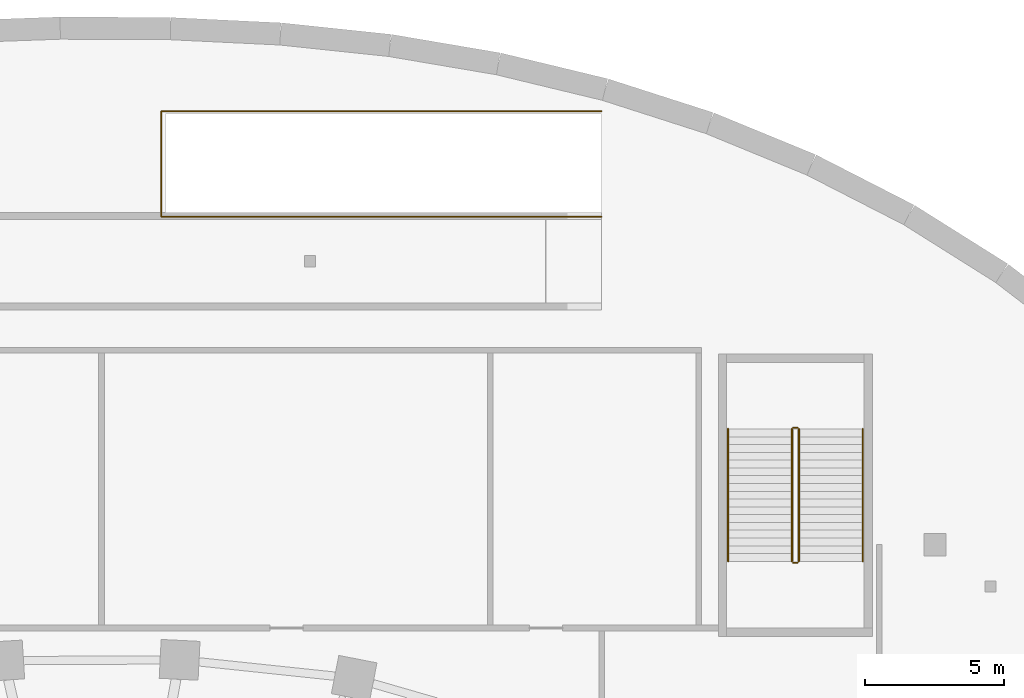
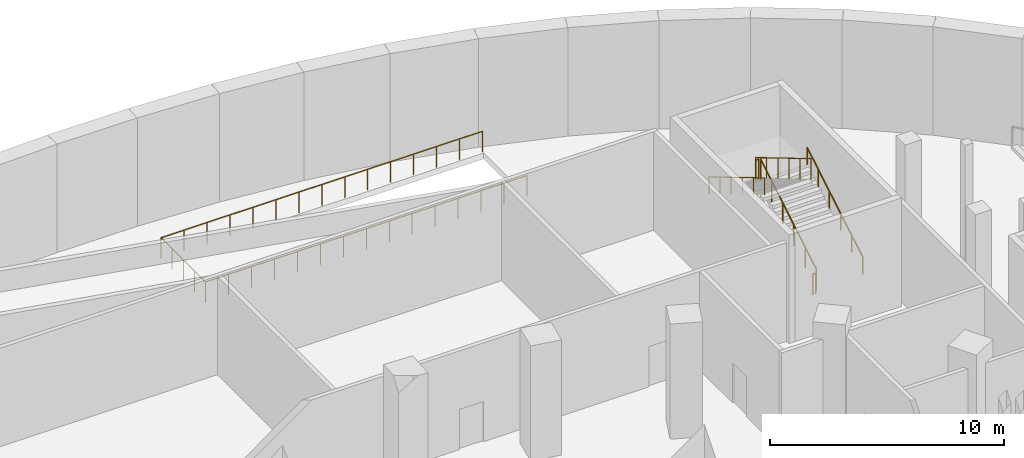
# One storey, part 19 of 19: 7 railings.
"""IFC4 building model written with IfcOpenShell, lengths in metres."""

from ifc_helpers import new_model, si_unit, direction, frame, origin, origin_2d, place, context, subcontext, project, spatial, circle, extrude, material, type_object, element, save


model = new_model("IFC4")

# Units and contexts
model_context = context("Model", 3, precision=1e-05, world=origin(), true_north=direction((0.0, 1.0)))
body_context = subcontext(model_context, "Body", "Model", "MODEL_VIEW")
ifc_project = project(units=[si_unit("LENGTHUNIT", "METRE"), si_unit("AREAUNIT", "SQUARE_METRE"), si_unit("VOLUMEUNIT", "CUBIC_METRE"), si_unit("PLANEANGLEUNIT", "RADIAN"), si_unit("MASSUNIT", "GRAM", prefix="KILO")], contexts=[model_context])

# Site, building, storey
site_placement = place(None, origin())
site = spatial("IfcSite", under=ifc_project, at=site_placement, CompositionType="ELEMENT")
building_placement = place(site_placement, origin())
building = spatial("IfcBuilding", under=site, at=building_placement, Name="Rubra Terraces Tower", CompositionType="ELEMENT")
storey_placement = place(building_placement, frame((0.0, 0.0, -6.0)))
storey = spatial("IfcBuildingStorey", under=building, at=storey_placement, Name="B1", CompositionType="ELEMENT", Elevation=-6.0)

# Railings
ifc_material = material(Name="Stainless steel", Category="steel")
railing_type_1 = type_object("IfcRailingType", Name="Guard 1100", PredefinedType="GUARDRAIL", material=ifc_material)
railing_1_placement = place(storey_placement, frame((18.0, 35.800048828125, 0.0)))
element("IfcRailing", 1, at=railing_1_placement, inside=storey, type_object=railing_type_1, Name="Guard at ramp opening", PredefinedType="GUARDRAIL", context=body_context, shape_type="SweptSolid", body=[
    extrude(circle(Radius=0.02392578125, at=origin_2d()), frame((0.0, 0.0, 1.076171875), z_axis=(-1.0, 0.0, 0.0), x_axis=(0.0, -1.0, 0.0)), (0.0, 0.0, 1.0), 15.85009765625),
    extrude(circle(Radius=0.02392578125, at=origin_2d()), frame((-15.85009765625, 0.0, 1.076171875), z_axis=(0.0, 1.0, 0.0), x_axis=(-1.0, 0.0, 0.0)), (0.0, 0.0, 1.0), 3.800048828125),
    extrude(circle(Radius=0.02392578125, at=origin_2d()), frame((-15.85009765625, 3.800048828125, 1.076171875), z_axis=(1.0, 0.0, 0.0), x_axis=(0.0, 1.0, 0.0)), (0.0, 0.0, 1.0), 15.85009765625),
    extrude(circle(Radius=0.02099609375, at=origin_2d()), origin(), (0.0, 0.0, 1.0), 1.052001953125),
    extrude(circle(Radius=0.02099609375, at=origin_2d()), frame((-1.132080078125, 0.0, 0.0)), (0.0, 0.0, 1.0), 1.052001953125),
    extrude(circle(Radius=0.02099609375, at=origin_2d()), frame((-2.264404296875, 0.0, 0.0)), (0.0, 0.0, 1.0), 1.052001953125),
    extrude(circle(Radius=0.02099609375, at=origin_2d()), frame((-3.396484375, 0.0, 0.0)), (0.0, 0.0, 1.0), 1.052001953125),
    extrude(circle(Radius=0.02099609375, at=origin_2d()), frame((-4.528564453125, 0.0, 0.0)), (0.0, 0.0, 1.0), 1.052001953125),
    extrude(circle(Radius=0.02099609375, at=origin_2d()), frame((-5.66064453125, 0.0, 0.0)), (0.0, 0.0, 1.0), 1.052001953125),
    extrude(circle(Radius=0.02099609375, at=origin_2d()), frame((-6.79296875, 0.0, 0.0)), (0.0, 0.0, 1.0), 1.052001953125),
    extrude(circle(Radius=0.02099609375, at=origin_2d()), frame((-7.925048828125, 0.0, 0.0)), (0.0, 0.0, 1.0), 1.052001953125),
    extrude(circle(Radius=0.02099609375, at=origin_2d()), frame((-9.05712890625, 0.0, 0.0)), (0.0, 0.0, 1.0), 1.052001953125),
    extrude(circle(Radius=0.02099609375, at=origin_2d()), frame((-10.189453125, 0.0, 0.0)), (0.0, 0.0, 1.0), 1.052001953125),
    extrude(circle(Radius=0.02099609375, at=origin_2d()), frame((-11.321533203125, 0.0, 0.0)), (0.0, 0.0, 1.0), 1.052001953125),
    extrude(circle(Radius=0.02099609375, at=origin_2d()), frame((-12.45361328125, 0.0, 0.0)), (0.0, 0.0, 1.0), 1.052001953125),
    extrude(circle(Radius=0.02099609375, at=origin_2d()), frame((-13.585693359375, 0.0, 0.0)), (0.0, 0.0, 1.0), 1.052001953125),
    extrude(circle(Radius=0.02099609375, at=origin_2d()), frame((-14.718017578125, 0.0, 0.0)), (0.0, 0.0, 1.0), 1.052001953125),
    extrude(circle(Radius=0.02099609375, at=origin_2d()), frame((-15.85009765625, 0.0, 0.0)), (0.0, 0.0, 1.0), 1.052001953125),
    extrude(circle(Radius=0.02099609375, at=origin_2d()), frame((-15.85009765625, 0.949951171875, 0.0)), (0.0, 0.0, 1.0), 1.052001953125),
    extrude(circle(Radius=0.02099609375, at=origin_2d()), frame((-15.85009765625, 1.89990234375, 0.0)), (0.0, 0.0, 1.0), 1.052001953125),
    extrude(circle(Radius=0.02099609375, at=origin_2d()), frame((-15.85009765625, 2.85009765625, 0.0)), (0.0, 0.0, 1.0), 1.052001953125),
    extrude(circle(Radius=0.02099609375, at=origin_2d()), frame((-15.85009765625, 3.800048828125, 0.0)), (0.0, 0.0, 1.0), 1.052001953125),
    extrude(circle(Radius=0.02099609375, at=origin_2d()), frame((-14.718017578125, 3.800048828125, 0.0)), (0.0, 0.0, 1.0), 1.052001953125),
    extrude(circle(Radius=0.02099609375, at=origin_2d()), frame((-13.585693359375, 3.800048828125, 0.0)), (0.0, 0.0, 1.0), 1.052001953125),
    extrude(circle(Radius=0.02099609375, at=origin_2d()), frame((-12.45361328125, 3.800048828125, 0.0)), (0.0, 0.0, 1.0), 1.052001953125),
    extrude(circle(Radius=0.02099609375, at=origin_2d()), frame((-11.321533203125, 3.800048828125, 0.0)), (0.0, 0.0, 1.0), 1.052001953125),
    extrude(circle(Radius=0.02099609375, at=origin_2d()), frame((-10.189453125, 3.800048828125, 0.0)), (0.0, 0.0, 1.0), 1.052001953125),
    extrude(circle(Radius=0.02099609375, at=origin_2d()), frame((-9.05712890625, 3.800048828125, 0.0)), (0.0, 0.0, 1.0), 1.052001953125),
    extrude(circle(Radius=0.02099609375, at=origin_2d()), frame((-7.925048828125, 3.800048828125, 0.0)), (0.0, 0.0, 1.0), 1.052001953125),
    extrude(circle(Radius=0.02099609375, at=origin_2d()), frame((-6.79296875, 3.800048828125, 0.0)), (0.0, 0.0, 1.0), 1.052001953125),
    extrude(circle(Radius=0.02099609375, at=origin_2d()), frame((-5.66064453125, 3.800048828125, 0.0)), (0.0, 0.0, 1.0), 1.052001953125),
    extrude(circle(Radius=0.02099609375, at=origin_2d()), frame((-4.528564453125, 3.800048828125, 0.0)), (0.0, 0.0, 1.0), 1.052001953125),
    extrude(circle(Radius=0.02099609375, at=origin_2d()), frame((-3.396484375, 3.800048828125, 0.0)), (0.0, 0.0, 1.0), 1.052001953125),
    extrude(circle(Radius=0.02099609375, at=origin_2d()), frame((-2.264404296875, 3.800048828125, 0.0)), (0.0, 0.0, 1.0), 1.052001953125),
    extrude(circle(Radius=0.02099609375, at=origin_2d()), frame((-1.132080078125, 3.800048828125, 0.0)), (0.0, 0.0, 1.0), 1.052001953125),
    extrude(circle(Radius=0.02099609375, at=origin_2d()), frame((0.0, 3.800048828125, 0.0)), (0.0, 0.0, 1.0), 1.052001953125),
])
railing_type_2 = type_object("IfcRailingType", Name="Public stair guard 1100", PredefinedType="GUARDRAIL", material=ifc_material)
railing_2_placement = place(storey_placement, frame((25.10009765625, 23.39990234375, 0.166748046875)))
element("IfcRailing", 2, at=railing_2_placement, inside=storey, type_object=railing_type_2, Name="B1 SE6 stair guard 1", PredefinedType="GUARDRAIL", context=body_context, shape_type="SweptSolid", body=[
    extrude(circle(Radius=0.02392578125, at=origin_2d()), frame((0.0, 0.0, 1.076171875), z_axis=(0.0, 0.859299802514, 0.511472237174), x_axis=(-1.0, 0.0, 0.0)), (0.0, 0.0, 1.0), 5.539306640625),
    extrude(circle(Radius=0.02099609375, at=origin_2d()), origin(), (0.0, 0.0, 1.0), 1.052001953125),
    extrude(circle(Radius=0.02099609375, at=origin_2d()), frame((0.0, 0.951904296875, 0.566650390625)), (0.0, 0.0, 1.0), 1.052001953125),
    extrude(circle(Radius=0.02099609375, at=origin_2d()), frame((0.0, 1.904052734375, 1.13330078125)), (0.0, 0.0, 1.0), 1.052001953125),
    extrude(circle(Radius=0.02099609375, at=origin_2d()), frame((0.0, 2.85595703125, 1.699951171875)), (0.0, 0.0, 1.0), 1.052001953125),
    extrude(circle(Radius=0.02099609375, at=origin_2d()), frame((0.0, 3.80810546875, 2.2666015625)), (0.0, 0.0, 1.0), 1.052001953125),
    extrude(circle(Radius=0.02099609375, at=origin_2d()), frame((0.0, 4.760009765625, 2.833251953125)), (0.0, 0.0, 1.0), 1.052001953125),
])
railing_3_placement = place(storey_placement, frame((25.050048828125, 28.2099609375, 3.0)))
element("IfcRailing", 3, at=railing_3_placement, inside=storey, type_object=railing_type_2, Name="B1 SE6 stair guard 2", PredefinedType="GUARDRAIL", context=body_context, shape_type="SweptSolid", body=[
    extrude(circle(Radius=0.02392578125, at=origin_2d()), frame((0.0, 0.0, 1.076171875), z_axis=(-1.0, 0.0, 0.0), x_axis=(0.0, -1.0, 0.0)), (0.0, 0.0, 1.0), 0.150146484375),
    extrude(circle(Radius=0.02099609375, at=origin_2d()), origin(), (0.0, 0.0, 1.0), 1.052001953125),
    extrude(circle(Radius=0.02099609375, at=origin_2d()), frame((-0.150146484375, 0.0, 0.0)), (0.0, 0.0, 1.0), 1.052001953125),
])
railing_4_placement = place(storey_placement, frame((24.85009765625, 28.159912109375, 3.166748046875)))
element("IfcRailing", 4, at=railing_4_placement, inside=storey, type_object=railing_type_2, Name="B1 SE6 stair guard 3", PredefinedType="GUARDRAIL", context=body_context, shape_type="SweptSolid", body=[
    extrude(circle(Radius=0.02392578125, at=origin_2d()), frame((0.0, 0.0, 1.076171875), z_axis=(0.0, -0.859299802514, 0.511472237174), x_axis=(1.0, 0.0, 0.0)), (0.0, 0.0, 1.0), 5.539306640625),
    extrude(circle(Radius=0.02099609375, at=origin_2d()), origin(), (0.0, 0.0, 1.0), 1.052001953125),
    extrude(circle(Radius=0.02099609375, at=origin_2d()), frame((0.0, -0.951904296875, 0.566650390625)), (0.0, 0.0, 1.0), 1.052001953125),
    extrude(circle(Radius=0.02099609375, at=origin_2d()), frame((0.0, -1.904052734375, 1.13330078125)), (0.0, 0.0, 1.0), 1.052001953125),
    extrude(circle(Radius=0.02099609375, at=origin_2d()), frame((0.0, -2.85595703125, 1.699951171875)), (0.0, 0.0, 1.0), 1.052001953125),
    extrude(circle(Radius=0.02099609375, at=origin_2d()), frame((0.0, -3.80810546875, 2.2666015625)), (0.0, 0.0, 1.0), 1.052001953125),
    extrude(circle(Radius=0.02099609375, at=origin_2d()), frame((0.0, -4.760009765625, 2.833251953125)), (0.0, 0.0, 1.0), 1.052001953125),
])
railing_5_placement = place(storey_placement, frame((25.050048828125, 23.35009765625, 0.0)))
element("IfcRailing", 5, at=railing_5_placement, inside=storey, type_object=railing_type_2, Name="B1 SE6 stair guard 4", PredefinedType="GUARDRAIL", context=body_context, shape_type="SweptSolid", body=[
    extrude(circle(Radius=0.02392578125, at=origin_2d()), frame((0.0, 0.0, 1.076171875), z_axis=(-1.0, 0.0, 0.0), x_axis=(0.0, -1.0, 0.0)), (0.0, 0.0, 1.0), 0.150146484375),
    extrude(circle(Radius=0.02099609375, at=origin_2d()), origin(), (0.0, 0.0, 1.0), 1.052001953125),
    extrude(circle(Radius=0.02099609375, at=origin_2d()), frame((-0.150146484375, 0.0, 0.0)), (0.0, 0.0, 1.0), 1.052001953125),
])
railing_type_3 = type_object("IfcRailingType", Name="Public stair handrail 900", PredefinedType="HANDRAIL", material=ifc_material)
railing_6_placement = place(storey_placement, frame((27.39990234375, 23.39990234375, 0.166748046875)))
element("IfcRailing", 6, at=railing_6_placement, inside=storey, type_object=railing_type_3, Name="B1 SE6 stair handrail 1", PredefinedType="HANDRAIL", context=body_context, shape_type="SweptSolid", body=[
    extrude(circle(Radius=0.02392578125, at=origin_2d()), frame((0.0, 0.0, 0.8759765625), z_axis=(0.0, 0.859299802514, 0.511472237174), x_axis=(-1.0, 0.0, 0.0)), (0.0, 0.0, 1.0), 5.539306640625),
    extrude(circle(Radius=0.02099609375, at=origin_2d()), origin(), (0.0, 0.0, 1.0), 0.851806640625),
    extrude(circle(Radius=0.02099609375, at=origin_2d()), frame((0.0, 0.951904296875, 0.566650390625)), (0.0, 0.0, 1.0), 0.851806640625),
    extrude(circle(Radius=0.02099609375, at=origin_2d()), frame((0.0, 1.904052734375, 1.13330078125)), (0.0, 0.0, 1.0), 0.851806640625),
    extrude(circle(Radius=0.02099609375, at=origin_2d()), frame((0.0, 2.85595703125, 1.699951171875)), (0.0, 0.0, 1.0), 0.851806640625),
    extrude(circle(Radius=0.02099609375, at=origin_2d()), frame((0.0, 3.80810546875, 2.2666015625)), (0.0, 0.0, 1.0), 0.851806640625),
    extrude(circle(Radius=0.02099609375, at=origin_2d()), frame((0.0, 4.760009765625, 2.833251953125)), (0.0, 0.0, 1.0), 0.851806640625),
])
railing_7_placement = place(storey_placement, frame((22.550048828125, 28.159912109375, 3.166748046875)))
element("IfcRailing", 7, at=railing_7_placement, inside=storey, type_object=railing_type_3, Name="B1 SE6 stair handrail 2", PredefinedType="HANDRAIL", context=body_context, shape_type="SweptSolid", body=[
    extrude(circle(Radius=0.02392578125, at=origin_2d()), frame((0.0, 0.0, 0.8759765625), z_axis=(0.0, -0.859299802514, 0.511472237174), x_axis=(1.0, 0.0, 0.0)), (0.0, 0.0, 1.0), 5.539306640625),
    extrude(circle(Radius=0.02099609375, at=origin_2d()), origin(), (0.0, 0.0, 1.0), 0.851806640625),
    extrude(circle(Radius=0.02099609375, at=origin_2d()), frame((0.0, -0.951904296875, 0.566650390625)), (0.0, 0.0, 1.0), 0.851806640625),
    extrude(circle(Radius=0.02099609375, at=origin_2d()), frame((0.0, -1.904052734375, 1.13330078125)), (0.0, 0.0, 1.0), 0.851806640625),
    extrude(circle(Radius=0.02099609375, at=origin_2d()), frame((0.0, -2.85595703125, 1.699951171875)), (0.0, 0.0, 1.0), 0.851806640625),
    extrude(circle(Radius=0.02099609375, at=origin_2d()), frame((0.0, -3.80810546875, 2.2666015625)), (0.0, 0.0, 1.0), 0.851806640625),
    extrude(circle(Radius=0.02099609375, at=origin_2d()), frame((0.0, -4.760009765625, 2.833251953125)), (0.0, 0.0, 1.0), 0.851806640625),
])

save(model, "model.ifc")
